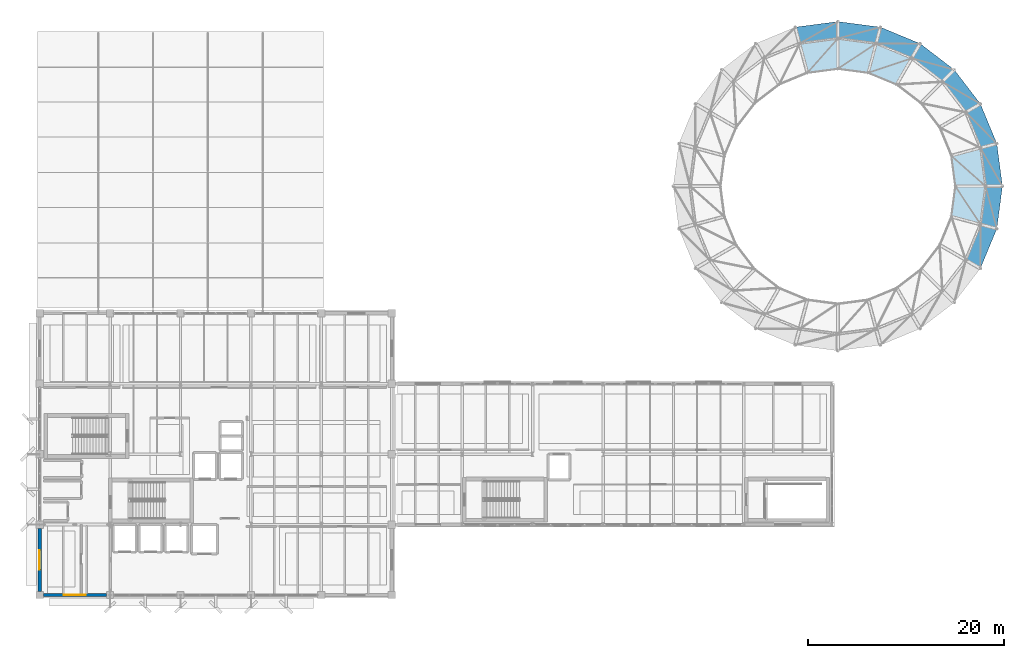
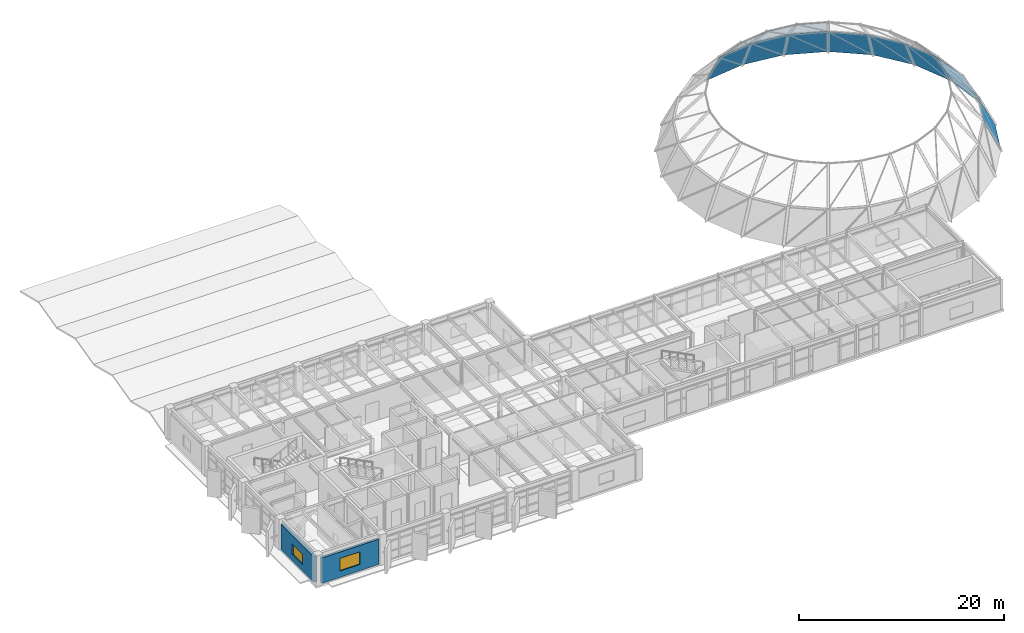
# One storey, part 30 of 48: 14 plates, 2 walls, 2 windows, 2 openings.
"""IFC4 building model written with IfcOpenShell, lengths in metres."""

import ifcopenshell
import ifcopenshell.guid

model = None  # the IFC model being written
_history = None  # IfcOwnerHistory: only IFC2X3 demands one
_inside = {}  # id of a spatial element -> (the spatial element, [elements in it])
_under = {}  # id of a project, library or spatial element -> (it, [spatial elements below it])
_declared = {}  # id of a project -> (the project, [libraries it declares])
_typed = {}  # id of a type object -> (the type object, [elements of that type])
_made_of = {}  # id of a material, layer set ... -> (it, [elements and type objects made of it])


def new_model(schema):
    """Start an empty IFC model of exactly this schema.

    Asked for "IFC4X3", IfcOpenShell would pick the latest addendum, in which some entities
    have other attributes; the version numbers below select the first issue.
    IFC2X3 requires an IfcOwnerHistory on every rooted entity: one is made here for all.
    """
    global model, _history
    if schema == "IFC4X3":
        model = ifcopenshell.file(schema_version=(4, 3, 0, 0))
    else:
        model = ifcopenshell.file(schema=schema)
    _inside.clear()
    _under.clear()
    _declared.clear()
    _typed.clear()
    _made_of.clear()
    _history = None
    if model.schema == "IFC2X3":
        org = make("IfcOrganization", Name="unknown")
        user = make(
            "IfcPersonAndOrganization",
            ThePerson=make("IfcPerson", FamilyName="unknown"),
            TheOrganization=org,
        )
        app = make(
            "IfcApplication",
            ApplicationDeveloper=org,
            Version="unknown",
            ApplicationFullName="unknown",
            ApplicationIdentifier="unknown",
        )
        _history = make(
            "IfcOwnerHistory",
            OwningUser=user,
            OwningApplication=app,
            ChangeAction="ADDED",
            CreationDate=0,
        )
    return model


def make(cls, **values):
    """One entity of the class cls with the attributes given. An attribute that is None is left unset."""
    return model.create_entity(
        cls, **{name: value for name, value in values.items() if value is not None}
    )


def rooted(cls, **values):
    """An entity with a GlobalId (a new one), such as an element, a storey or a relation."""
    return make(cls, GlobalId=ifcopenshell.guid.new(), OwnerHistory=_history, **values)


def si_unit(unit_type, name, prefix=None):
    """IfcSIUnit, for example si_unit("LENGTHUNIT", "METRE", prefix="MILLI")."""
    return make("IfcSIUnit", UnitType=unit_type, Prefix=prefix, Name=name)


def assignment(units):
    """IfcUnitAssignment: the units of a project."""
    return None if units is None else make("IfcUnitAssignment", Units=units)


def point(xyz):
    """IfcCartesianPoint."""
    return None if xyz is None else make("IfcCartesianPoint", Coordinates=xyz)


def direction(xyz):
    """IfcDirection."""
    return None if xyz is None else make("IfcDirection", DirectionRatios=xyz)


def frame(location, z_axis=None, x_axis=None):
    """IfcAxis2Placement3D, a coordinate frame: its origin and axes. An axis left out is left unset."""
    return make(
        "IfcAxis2Placement3D",
        Location=point(location),
        Axis=direction(z_axis),
        RefDirection=direction(x_axis),
    )


def frame_2d(location, x_axis=None):
    """IfcAxis2Placement2D, a coordinate frame in the plane: its origin and x axis."""
    return make(
        "IfcAxis2Placement2D", Location=point(location), RefDirection=direction(x_axis)
    )


def origin():
    """The frame at (0, 0, 0) with its axes left unset."""
    return frame((0.0, 0.0, 0.0))


def place(relative_to, where):
    """IfcLocalPlacement: puts the frame where relative to a parent placement (None: the world)."""
    return make(
        "IfcLocalPlacement", PlacementRelTo=relative_to, RelativePlacement=where
    )


def context(
    kind, dimensions, precision=None, world=None, true_north=None, identifier=None
):
    """IfcGeometricRepresentationContext, for example the 3D "Model" context."""
    return make(
        "IfcGeometricRepresentationContext",
        ContextIdentifier=identifier,
        ContextType=kind,
        CoordinateSpaceDimension=dimensions,
        Precision=precision,
        WorldCoordinateSystem=world,
        TrueNorth=true_north,
    )


def subcontext(parent, identifier, kind, view, scale=None):
    """IfcGeometricRepresentationSubContext, for example "Body" below "Model"."""
    return make(
        "IfcGeometricRepresentationSubContext",
        ContextIdentifier=identifier,
        ContextType=kind,
        ParentContext=parent,
        TargetScale=scale,
        TargetView=view,
    )


def project(units=None, contexts=None):
    """IfcProject with its units and contexts."""
    return rooted(
        "IfcProject",
        Name="project",
        RepresentationContexts=contexts,
        UnitsInContext=assignment(units),
    )


def spatial(cls, under=None, at=None, **own):
    """A site, building, storey or space (cls), placed at a placement, below another one or the project."""
    s = rooted(cls, ObjectPlacement=at, **own)
    if under is not None:
        _under.setdefault(under.id(), (under, []))[1].append(s)
    return s


def polyline(points):
    """IfcPolyline through the points."""
    return make("IfcPolyline", Points=[point(p) for p in points])


def profile(cls, at=None, kind="AREA", **sizes):
    """A parametric profile (cls). Its sizes go by their IFC names, for example OverallWidth=200.0."""
    return make(cls, ProfileType=kind, Position=at, **sizes)


def rectangle(**sizes):
    """IfcRectangleProfileDef."""
    return profile("IfcRectangleProfileDef", **sizes)


def outline(outer, holes=None, kind="AREA"):
    """IfcArbitraryClosedProfileDef: a profile drawn as a closed curve; with holes, ...WithVoids."""
    if holes is None:
        return make("IfcArbitraryClosedProfileDef", ProfileType=kind, OuterCurve=outer)
    return make(
        "IfcArbitraryProfileDefWithVoids",
        ProfileType=kind,
        OuterCurve=outer,
        InnerCurves=holes,
    )


def extrude(swept, where, along, depth):
    """IfcExtrudedAreaSolid: the profile swept, set in the frame where, extruded along a direction by depth."""
    return make(
        "IfcExtrudedAreaSolid",
        SweptArea=swept,
        Position=where,
        ExtrudedDirection=direction(along),
        Depth=depth,
    )


def shape(context_of_items, identifier, shape_type, items):
    """IfcShapeRepresentation: the items that make up one representation, for example the "Body"."""
    return make(
        "IfcShapeRepresentation",
        ContextOfItems=context_of_items,
        RepresentationIdentifier=identifier,
        RepresentationType=shape_type,
        Items=items,
    )


def material(Name=None, Category=None):
    """IfcMaterial."""
    return make("IfcMaterial", Name=Name, Category=Category)


def layer(
    of_material, thickness, ventilated=None, Name=None, Category=None, Priority=None
):
    """IfcMaterialLayer: one layer of a wall or slab, of a material (None: an air gap)."""
    return make(
        "IfcMaterialLayer",
        Material=of_material,
        LayerThickness=thickness,
        IsVentilated=ventilated,
        Name=Name,
        Category=Category,
        Priority=Priority,
    )


def layer_set(layers, Name=None):
    """IfcMaterialLayerSet."""
    return make("IfcMaterialLayerSet", MaterialLayers=layers, LayerSetName=Name)


def made_of(thing, what):
    """Note that an element or type object is made of a material, layer set ...; save() writes the relation."""
    if what is not None:
        _made_of.setdefault(what.id(), (what, []))[1].append(thing)
    return thing


def type_object(cls, material=None, **own):
    """A type object (cls), such as IfcWallType, which elements share."""
    return made_of(rooted(cls, **own), material)


def element(
    cls,
    number,
    at=None,
    inside=None,
    cuts=None,
    type_object=None,
    material=None,
    context=None,
    identifier="Body",
    shape_type=None,
    held_by="IfcProductDefinitionShape",
    body=None,
    shapes=None,
    **own,
):
    """One element of the class cls, such as IfcWall. Its Tag is "e" and its number.

    at: its placement. inside: the storey or other place that contains it. cuts: it is an
    opening in that element (IfcRelVoidsElement). A single representation is given by context,
    identifier, shape_type and body (its items); several are given by shapes. held_by: the class
    of the entity that holds the representations. save() writes the other relations.
    """
    e = rooted(cls, Tag="e%d" % number, ObjectPlacement=at, **own)
    if body is not None:
        shapes = [shape(context, identifier, shape_type, body)]
    if shapes is not None:
        e.Representation = make(held_by, Representations=shapes)
    if inside is not None:
        _inside.setdefault(inside.id(), (inside, []))[1].append(e)
    if cuts is not None:
        rooted(
            "IfcRelVoidsElement", RelatingBuildingElement=cuts, RelatedOpeningElement=e
        )
    if type_object is not None:
        _typed.setdefault(type_object.id(), (type_object, []))[1].append(e)
    return made_of(e, material)


def fill(opening, filler):
    """IfcRelFillsElement: the door or window that sits in an opening."""
    return rooted(
        "IfcRelFillsElement",
        RelatingOpeningElement=opening,
        RelatedBuildingElement=filler,
    )


def aggregate(whole, parts):
    """IfcRelAggregates: a whole, such as a stair, and the parts it consists of."""
    return rooted("IfcRelAggregates", RelatingObject=whole, RelatedObjects=parts)


def save(model, path):
    """Write the relations noted so far, then the file.

    IfcRelAggregates (storeys below a building ...), IfcRelContainedInSpatialStructure (elements
    in a storey), IfcRelDefinesByType, IfcRelAssociatesMaterial and IfcRelDeclares: one each for
    every whole, place, type object, material and project.
    """
    for whole, parts in _under.values():
        aggregate(whole, parts)
    for where, things in _inside.values():
        rooted(
            "IfcRelContainedInSpatialStructure",
            RelatedElements=things,
            RelatingStructure=where,
        )
    for kind, things in _typed.values():
        rooted("IfcRelDefinesByType", RelatedObjects=things, RelatingType=kind)
    for what, things in _made_of.values():
        rooted("IfcRelAssociatesMaterial", RelatedObjects=things, RelatingMaterial=what)
    for by, libraries in _declared.values():
        rooted("IfcRelDeclares", RelatingContext=by, RelatedDefinitions=libraries)
    model.write(path)


model = new_model("IFC4")

# Units and contexts
model_context = context("Model", 3, precision=1e-05, world=origin(), true_north=direction((0.0, 1.0)))
body_context = subcontext(model_context, "Body", "Model", "MODEL_VIEW")
ifc_project = project(units=[si_unit("LENGTHUNIT", "METRE"), si_unit("AREAUNIT", "SQUARE_METRE"), si_unit("VOLUMEUNIT", "CUBIC_METRE"), si_unit("PLANEANGLEUNIT", "RADIAN"), si_unit("MASSUNIT", "GRAM", prefix="KILO")], contexts=[model_context])

# Site, building, storey
site_placement = place(None, origin())
site = spatial("IfcSite", under=ifc_project, at=site_placement, CompositionType="ELEMENT")
building_placement = place(site_placement, origin())
building = spatial("IfcBuilding", under=site, at=building_placement, Name="Kandorven Conservatory and Botanical Research Centre", CompositionType="ELEMENT")
storey_placement = place(building_placement, frame((0.0, 0.0, 13.199951171875)))
storey = spatial("IfcBuildingStorey", under=building, at=storey_placement, Name="L03", CompositionType="ELEMENT", Elevation=13.199951171875)

# Plates
ifc_material_1 = material(Name="Tempered laminated solar-control glass", Category="glass")
ifc_layer_1 = layer(ifc_material_1, 0.035888671875)
ifc_layer_set_1 = layer_set([ifc_layer_1], Name="Tempered laminated solar-control glass")
plate_type_1 = type_object("IfcPlateType", Name="DomePlate_DP-01", PredefinedType="SHEET", material=ifc_layer_set_1)
plate_1_placement = place(storey_placement, frame((104.425048828125, 47.800048828125, -2.364013671875), z_axis=(0.895527782954, 0.117881345972, 0.429108352552), x_axis=(-0.130509440157, 0.991447066673, 3.996473e-06)))
element("IfcPlate", 1, at=plate_1_placement, inside=storey, type_object=plate_type_1, Name="Conservatory dome laminated glass facet DP-01 T1-S01", PredefinedType="SHEET", context=body_context, shape_type="SweptSolid", body=[
    extrude(outline(polyline([(0.0, 0.0), (4.392062023111136, 0.0), (4.167067058067448, 3.985683872614123), (0.22515591702554064, 3.9857207465515123), (0.0, 0.0)])), origin(), (0.0, 0.0, -1.0), 0.035888671875),
])
plate_2_placement = place(storey_placement, frame((103.851806640625, 52.154541015625, -2.364013671875), z_axis=(0.834501676179, 0.345676006646, 0.429086297711), x_axis=(-0.382697412051, 0.923873741811, 1.505785e-06)))
element("IfcPlate", 2, at=plate_2_placement, inside=storey, type_object=plate_type_1, Name="Conservatory dome laminated glass facet DP-01 T1-S02", PredefinedType="SHEET", context=body_context, shape_type="SweptSolid", body=[
    extrude(outline(polyline([(0.0, 0.0), (4.392230748194786, 0.0), (4.167285829390116, 3.9856491313104296), (0.22536397498276767, 3.9856630247584834), (0.0, 0.0)])), origin(), (0.0, 0.0, -1.0), 0.035888671875),
])
plate_3_placement = place(storey_placement, frame((102.1708984375, 56.21240234375, -2.364013671875), z_axis=(0.716606173119, 0.549877885074, 0.429080300357), x_axis=(-0.608764823345, 0.793350735708, -3.249477e-06)))
element("IfcPlate", 3, at=plate_3_placement, inside=storey, type_object=plate_type_1, Name="Conservatory dome laminated glass facet DP-01 T1-S03", PredefinedType="SHEET", context=body_context, shape_type="SweptSolid", body=[
    extrude(outline(polyline([(0.0, 0.0), (4.392257665044788, 1.1102230246251565e-16), (4.1671016262362945, 3.985658498435925), (0.225309872737353, 3.9856285169079477), (0.0, 0.0)])), origin(), (0.0, 0.0, -1.0), 0.035888671875),
])
plate_4_placement = place(storey_placement, frame((99.4970703125, 59.697021484375, -2.364013671875), z_axis=(0.549860706703, 0.71661024588, 0.429095512357), x_axis=(-0.793359592932, 0.608753280311, -3.662225e-06)))
element("IfcPlate", 4, at=plate_4_placement, inside=storey, type_object=plate_type_1, Name="Conservatory dome laminated glass facet DP-01 T1-S04", PredefinedType="SHEET", context=body_context, shape_type="SweptSolid", body=[
    extrude(outline(polyline([(0.0, 0.0), (4.392257665010771, 0.0), (4.167141482500842, 3.985692289230496), (0.22515603874220266, 3.9856584984021817), (0.0, 0.0)])), origin(), (0.0, 0.0, -1.0), 0.035888671875),
])
plate_5_placement = place(storey_placement, frame((96.012451171875, 62.370849609375, -2.364013671875), z_axis=(0.345683623707, 0.834493603861, 0.429095860405), x_axis=(-0.923870241296, 0.382705862562, 2.839408e-06)))
element("IfcPlate", 5, at=plate_5_placement, inside=storey, type_object=plate_type_1, Name="Conservatory dome laminated glass facet DP-01 T1-S05", PredefinedType="SHEET", context=body_context, shape_type="SweptSolid", body=[
    extrude(outline(polyline([(0.0, 0.0), (4.3922307481256695, -2.220446049250313e-16), (4.166866773277588, 3.9856630246899316), (0.22517047348656596, 3.9856892225171854), (0.0, 0.0)])), origin(), (0.0, 0.0, -1.0), 0.035888671875),
])
plate_6_placement = place(storey_placement, frame((91.95458984375, 64.0517578125, -2.364013671875), z_axis=(0.117881345972, 0.895527782954, 0.429108352552), x_axis=(-0.991447066673, 0.130509440157, -3.996473e-06)))
element("IfcPlate", 6, at=plate_6_placement, inside=storey, type_object=plate_type_1, Name="Conservatory dome laminated glass facet DP-01 T1-S06", PredefinedType="SHEET", context=body_context, shape_type="SweptSolid", body=[
    extrude(outline(polyline([(0.0, 0.0), (4.392062023111136, 0.0), (4.166906106085596, 3.9857207465515123), (0.2249949650436888, 3.985683872614123), (0.0, 0.0)])), origin(), (0.0, 0.0, -1.0), 0.035888671875),
])
plate_7_placement = place(storey_placement, frame((87.60009765625, 64.625, -2.364013671875), z_axis=(-0.117877720137, 0.895526697649, 0.429111613562), x_axis=(-0.991447648076, -0.130505023344, 2.666421e-06)))
element("IfcPlate", 7, at=plate_7_placement, inside=storey, type_object=plate_type_1, Name="Conservatory dome laminated glass facet DP-01 T1-S07", PredefinedType="SHEET", context=body_context, shape_type="SweptSolid", body=[
    extrude(outline(polyline([(0.0, 0.0), (4.3923040755708715, 0.0), (4.167054650529904, 3.9856968447618177), (0.22514350927455742, 3.9857214475703926), (0.0, 0.0)])), origin(), (0.0, 0.0, -1.0), 0.035888671875),
])
plate_8_placement = place(storey_placement, frame((102.1708984375, 39.387451171875, -2.364013671875), z_axis=(0.834493282117, -0.34567252957, 0.429105423412), x_axis=(0.38269741211, 0.923873741786, -1.505837e-06)))
element("IfcPlate", 8, at=plate_8_placement, inside=storey, type_object=plate_type_1, Name="Conservatory dome laminated glass facet DP-01 T1-S23", PredefinedType="SHEET", context=body_context, shape_type="SweptSolid", body=[
    extrude(outline(polyline([(0.0, 0.0), (4.392230748194787, 0.0), (4.167092328028604, 3.9857031166530708), (0.2251704736212565, 3.9856892225857434), (0.0, 0.0)])), origin(), (0.0, 0.0, -1.0), 0.035888671875),
])
plate_9_placement = place(storey_placement, frame((103.851806640625, 43.4453125, -2.364013671875), z_axis=(0.895526697649, -0.117877720137, 0.429111613562), x_axis=(0.130505023344, 0.991447648076, -2.666421e-06)))
element("IfcPlate", 9, at=plate_9_placement, inside=storey, type_object=plate_type_1, Name="Conservatory dome laminated glass facet DP-01 T1-S24", PredefinedType="SHEET", context=body_context, shape_type="SweptSolid", body=[
    extrude(outline(polyline([(0.0, 0.0), (4.3923040755708715, 0.0), (4.167160566296314, 3.9857214475703926), (0.2252494250409679, 3.9856968447618177), (0.0, 0.0)])), origin(), (0.0, 0.0, -1.0), 0.035888671875),
])
ifc_material_2 = material(Name="Tempered laminated solar-control glass", Category="glass")
ifc_layer_2 = layer(ifc_material_2, 0.033935546875)
ifc_layer_set_2 = layer_set([ifc_layer_2], Name="Tempered laminated solar-control glass")
plate_type_2 = type_object("IfcPlateType", Name="DomePlate_DP-02", PredefinedType="SHEET", material=ifc_layer_set_2)
plate_10_placement = place(storey_placement, frame((102.699951171875, 47.800048828125, 1.234130859375), z_axis=(0.725502639139, 0.095508057406, 0.681560071874), x_axis=(-0.130507801929, 0.991447282268, -1.0929664e-05)))
element("IfcPlate", 10, at=plate_10_placement, inside=storey, type_object=plate_type_2, Name="Conservatory dome laminated glass facet DP-02 T2-S01", PredefinedType="SHEET", context=body_context, shape_type="SweptSolid", body=[
    extrude(outline(polyline([(0.0, 0.0), (3.941911140919756, 0.0), (3.5370388871369136, 4.509447874257132), (0.40451900286939907, 4.509342209934976), (0.0, 0.0)])), origin(), (0.0, 0.0, -1.0), 0.033935546875),
])
plate_11_placement = place(storey_placement, frame((95.14990234375, 60.876953125, 1.234130859375), z_axis=(0.280035012613, 0.676058916283, 0.681560513399), x_axis=(-0.923872945801, 0.382699333393, -1.5441865e-05)))
element("IfcPlate", 11, at=plate_11_placement, inside=storey, type_object=plate_type_2, Name="Conservatory dome laminated glass facet DP-02 T2-S05", PredefinedType="SHEET", context=body_context, shape_type="SweptSolid", body=[
    extrude(outline(polyline([(0.0, 0.0), (3.941696298973553, -1.1102230246251565e-16), (3.537095306915316, 4.509472220312628), (0.4043883978761041, 4.509322934043204), (0.0, 0.0)])), origin(), (0.0, 0.0, -1.0), 0.033935546875),
])
plate_12_placement = place(storey_placement, frame((91.50830078125, 62.385498046875, 1.234130859375), z_axis=(0.095508057406, 0.725502639139, 0.681560071874), x_axis=(-0.991447282268, 0.130507801929, 1.0929664e-05)))
element("IfcPlate", 12, at=plate_12_placement, inside=storey, type_object=plate_type_2, Name="Conservatory dome laminated glass facet DP-02 T2-S06", PredefinedType="SHEET", context=body_context, shape_type="SweptSolid", body=[
    extrude(outline(polyline([(0.0, 0.0), (3.941911140919756, 0.0), (3.537392138050357, 4.509342209934976), (0.40487225378284253, 4.509447874257132), (0.0, 0.0)])), origin(), (0.0, 0.0, -1.0), 0.033935546875),
])
plate_13_placement = place(storey_placement, frame((87.60009765625, 62.89990234375, 1.234130859375), z_axis=(-0.095505019682, 0.725504816354, 0.681558179954), x_axis=(-0.991447597041, -0.13050541079, -8.683309e-06)))
element("IfcPlate", 13, at=plate_13_placement, inside=storey, type_object=plate_type_2, Name="Conservatory dome laminated glass facet DP-02 T2-S07", PredefinedType="SHEET", context=body_context, shape_type="SweptSolid", body=[
    extrude(outline(polyline([(0.0, 0.0), (3.9419111411066887, 0.0), (3.537280939902239, 4.509426160049884), (0.4045190032240822, 4.509342210066569), (0.0, 0.0)])), origin(), (0.0, 0.0, -1.0), 0.033935546875),
])
plate_14_placement = place(storey_placement, frame((102.185546875, 43.891845703125, 1.234130859375), z_axis=(0.725504816354, -0.095505019682, 0.681558179954), x_axis=(0.13050541079, 0.991447597041, 8.683309e-06)))
element("IfcPlate", 14, at=plate_14_placement, inside=storey, type_object=plate_type_2, Name="Conservatory dome laminated glass facet DP-02 T2-S24", PredefinedType="SHEET", context=body_context, shape_type="SweptSolid", body=[
    extrude(outline(polyline([(0.0, 0.0), (3.9419111411066887, 0.0), (3.5373921378826063, 4.509342210066569), (0.4046302012044495, 4.509426160049884), (0.0, 0.0)])), origin(), (0.0, 0.0, -1.0), 0.033935546875),
])

# Wall, opening, window
ifc_material_3 = material(Name="Concrete C40/50 (M50)", Category="concrete")
ifc_layer_3 = layer(ifc_material_3, 0.360107421875)
ifc_layer_set_3 = layer_set([ifc_layer_3], Name="Concrete C40/50 (M50)")
wall_type_1 = type_object("IfcWallType", Name="Wall_EW-01", PredefinedType="STANDARD", material=ifc_layer_set_3)
wall_1_placement = place(storey_placement, frame((6.0, 6.375, 0.0), z_axis=(0.0, 0.0, 1.0), x_axis=(0.0, 1.0, 0.0)))
wall_1 = element("IfcWall", 15, at=wall_1_placement, inside=storey, type_object=wall_type_1, Name="Tower concrete facade wall EW-01 W L03", PredefinedType="STANDARD", context=body_context, shape_type="SweptSolid", body=[
    extrude(rectangle(XDim=6.449951171875, YDim=0.360107421875, at=frame_2d((3.22509765625, 0.0))), origin(), (0.0, 0.0, 1.0), 3.01513671875),
])
opening_1_placement = place(wall_1_placement, frame((2.22509765625, 0.0, 0.75)))
opening_1 = element("IfcOpeningElement", 16, at=opening_1_placement, cuts=wall_1, Name="Opening W-48", PredefinedType="OPENING", context=body_context, shape_type="SweptSolid", body=[
    extrude(rectangle(XDim=2.0, YDim=1.25, at=frame_2d((1.0, 0.625))), frame((0.0, 0.18994140625, 0.0), z_axis=(0.0, -1.0, 0.0), x_axis=(1.0, 0.0, 0.0)), (0.0, 0.0, 1.0), 0.380126953125),
])
ifc_material_4 = material(Name="Double-glazed solar-control low-E glass", Category="glass")
window_type_1 = type_object("IfcWindowType", Name="Win_W-48", PartitioningType="DOUBLE_PANEL_VERTICAL", PredefinedType="WINDOW", material=ifc_material_4)
window_1_placement = place(opening_1_placement, origin())
window_1 = element("IfcWindow", 17, at=window_1_placement, inside=storey, type_object=window_type_1, Name="Tower recessed solar window W-48", OverallHeight=1.25, OverallWidth=2.0, PartitioningType="SINGLE_PANEL", PredefinedType="WINDOW", context=body_context, shape_type="SweptSolid", body=[
    extrude(rectangle(XDim=2.0, YDim=1.25, at=frame_2d((1.0, 0.625))), frame((0.0, 0.030029296875, 0.0), z_axis=(0.0, -1.0, 0.0), x_axis=(1.0, 0.0, 0.0)), (0.0, 0.0, 1.0), 0.06005859375),
])
fill(opening_1, window_1)

ifc_material_5 = material(Name="Concrete C32/40 (M40)", Category="concrete")
ifc_layer_4 = layer(ifc_material_5, 0.280029296875)
ifc_layer_set_4 = layer_set([ifc_layer_4], Name="Concrete C32/40 (M40)")
wall_type_2 = type_object("IfcWallType", Name="Wall_EW-05", PredefinedType="STANDARD", material=ifc_layer_set_4)
wall_2_placement = place(storey_placement, frame((6.375, 6.0, 0.0), z_axis=(0.0, 0.0, 1.0), x_axis=(1.0, 0.0, 0.0)))
wall_2 = element("IfcWall", 18, at=wall_2_placement, inside=storey, type_object=wall_type_2, Name="Tower concrete facade wall EW-05 S L03", PredefinedType="STANDARD", context=body_context, shape_type="SweptSolid", body=[
    extrude(rectangle(XDim=6.449951171875, YDim=0.280029296875, at=frame_2d((3.22509765625, 0.0))), origin(), (0.0, 0.0, 1.0), 3.01513671875),
])
opening_2_placement = place(wall_2_placement, frame((2.10009765625, 0.0, 0.75)))
opening_2 = element("IfcOpeningElement", 19, at=opening_2_placement, cuts=wall_2, Name="Opening W-43", PredefinedType="OPENING", context=body_context, shape_type="SweptSolid", body=[
    extrude(rectangle(XDim=2.25, YDim=1.5, at=frame_2d((1.125, 0.75))), frame((0.0, 0.14990234375, 0.0), z_axis=(0.0, -1.0, 0.0), x_axis=(1.0, 0.0, 0.0)), (0.0, 0.0, 1.0), 0.300048828125),
])
ifc_material_6 = material(Name="Double-glazed solar-control low-E glass", Category="glass")
window_type_2 = type_object("IfcWindowType", Name="Win_W-43", PartitioningType="DOUBLE_PANEL_VERTICAL", PredefinedType="WINDOW", material=ifc_material_6)
window_2_placement = place(opening_2_placement, origin())
window_2 = element("IfcWindow", 20, at=window_2_placement, inside=storey, type_object=window_type_2, Name="Tower recessed solar window W-43", OverallHeight=1.5, OverallWidth=2.25, PartitioningType="SINGLE_PANEL", PredefinedType="WINDOW", context=body_context, shape_type="SweptSolid", body=[
    extrude(rectangle(XDim=2.25, YDim=1.5, at=frame_2d((1.125, 0.75))), frame((0.0, 0.030029296875, 0.0), z_axis=(0.0, -1.0, 0.0), x_axis=(1.0, 0.0, 0.0)), (0.0, 0.0, 1.0), 0.06005859375),
])
fill(opening_2, window_2)

save(model, "model.ifc")
